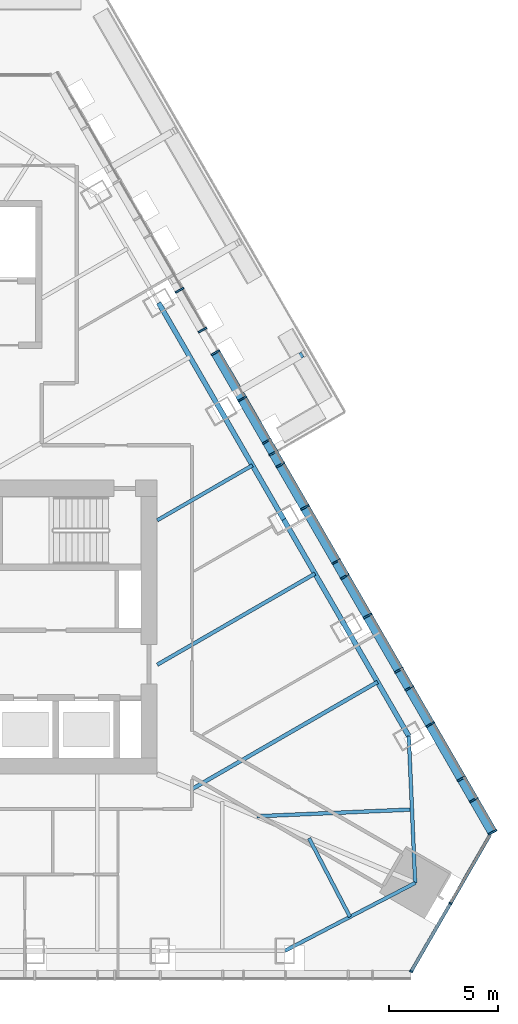
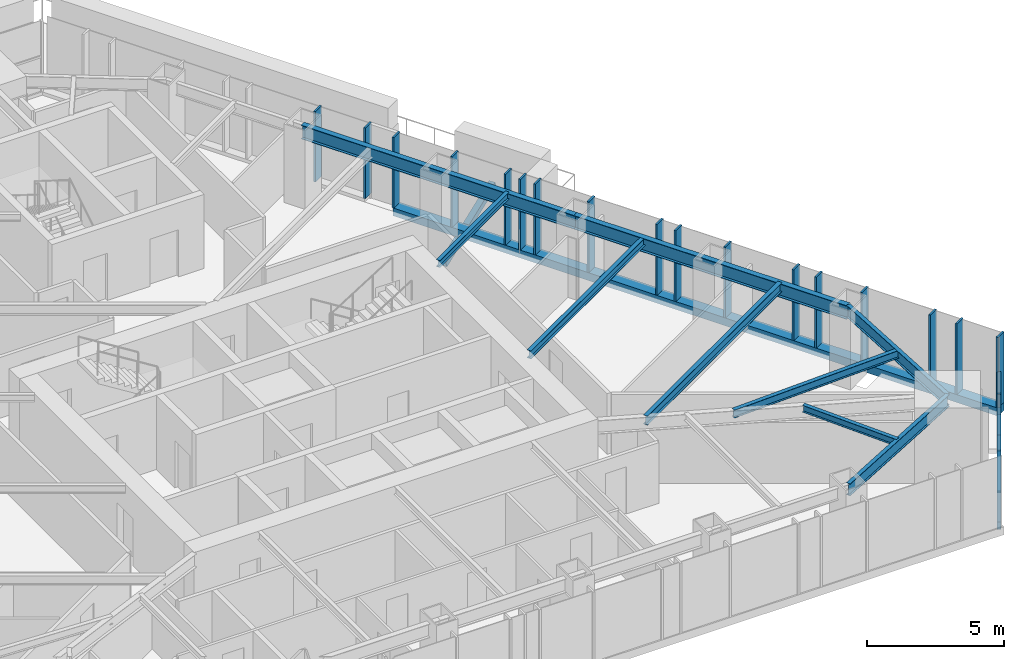
# One storey, part 4 of 16: 26 members, 9 beams, 2 elements without a shape of their own.
"""IFC4 building model written with IfcOpenShell, lengths in metres."""

from ifc_helpers import new_model, si_unit, direction, frame, origin, origin_2d, place, context, subcontext, project, spatial, rectangle, hollow_rectangle, i_section, extrude, material, layer, layer_set, material_profile, profile_set, type_object, element, aggregate, save


model = new_model("IFC4")

# Units and contexts
model_context = context("Model", 3, precision=1e-05, world=origin(), true_north=direction((0.0, 1.0)))
body_context = subcontext(model_context, "Body", "Model", "MODEL_VIEW")
ifc_project = project(units=[si_unit("LENGTHUNIT", "METRE"), si_unit("AREAUNIT", "SQUARE_METRE"), si_unit("VOLUMEUNIT", "CUBIC_METRE"), si_unit("PLANEANGLEUNIT", "RADIAN"), si_unit("MASSUNIT", "GRAM", prefix="KILO")], contexts=[model_context])

# Site, building, storey
site_placement = place(None, origin())
site = spatial("IfcSite", under=ifc_project, at=site_placement, CompositionType="ELEMENT")
building_placement = place(site_placement, origin())
building = spatial("IfcBuilding", under=site, at=building_placement, Name="Firuza Gate Tower and Library", CompositionType="ELEMENT")
storey_placement = place(building_placement, frame((0.0, 0.0, 319.60009765625)))
storey = spatial("IfcBuildingStorey", under=building, at=storey_placement, Name="L78", CompositionType="ELEMENT", Elevation=319.60009765625)

# Curtain wall, members
ifc_material_1 = material(Name="Aluminium 6063-T6", Category="aluminium")
ifc_layer_1 = layer(ifc_material_1, 0.14990234375)
ifc_layer_set_1 = layer_set([ifc_layer_1], Name="Corner curtain wall, chamfers")
curtain_wall_type_1 = type_object("IfcCurtainWallType", Name="Corner curtain wall, chamfers", PredefinedType="NOTDEFINED", material=ifc_layer_set_1)
placement = place(storey_placement, origin())
curtain_wall_1 = element("IfcCurtainWall", 1, at=placement, inside=storey, type_object=curtain_wall_type_1, Name="CW4 L78 SE corner", PredefinedType="NOTDEFINED")
ifc_material_2 = material(Name="Aluminium 6063-T6", Category="aluminium")
ifc_material_profile_1 = material_profile(ifc_material_2, rectangle(XDim=0.14990234375, YDim=0.080078125, at=origin_2d()))
ifc_profile_set_1 = profile_set([ifc_material_profile_1], Name="Aluminium 6063-T6")
member_type_1 = type_object("IfcMemberType", Name="Curtain wall mullion 80x150", PredefinedType="MULLION", material=ifc_profile_set_1)
member_1_placement = place(storey_placement, frame((95.167236328125, 59.195556640625, 0.14990234375), z_axis=(0.0, 0.0, 1.0), x_axis=(-0.866025403784, 0.5, 0.0)))
member_1 = element("IfcMember", 2, at=member_1_placement, type_object=member_type_1, Name="Mullion", PredefinedType="MULLION", context=body_context, shape_type="SweptSolid", body=[
    extrude(rectangle(XDim=0.14990234375, YDim=0.080078125, at=origin_2d()), origin(), (0.0, 0.0, 1.0), 3.14990234375),
])
member_2_placement = place(storey_placement, frame((96.968994140625, 62.316162109375, 0.14990234375), z_axis=(0.0, 0.0, 1.0), x_axis=(-0.866025403784, 0.5, 0.0)))
member_2 = element("IfcMember", 3, at=member_2_placement, type_object=member_type_1, Name="Mullion", PredefinedType="MULLION", context=body_context, shape_type="SweptSolid", body=[
    extrude(rectangle(XDim=0.14990234375, YDim=0.080078125, at=origin_2d()), origin(), (0.0, 0.0, 1.0), 3.14990234375),
])

ifc_material_3 = material(Name="Aluminium 6063-T6", Category="aluminium")
ifc_layer_2 = layer(ifc_material_3, 0.14990234375)
ifc_layer_set_2 = layer_set([ifc_layer_2], Name="Unitised curtain wall, residences")
curtain_wall_type_2 = type_object("IfcCurtainWallType", Name="Unitised curtain wall, residences", PredefinedType="NOTDEFINED", material=ifc_layer_set_2)
curtain_wall_2 = element("IfcCurtainWall", 4, at=placement, inside=storey, type_object=curtain_wall_type_2, Name="CW3 L78 E face", PredefinedType="NOTDEFINED")
ifc_material_4 = material(Name="Aluminium 6063-T6", Category="aluminium")
ifc_material_profile_2 = material_profile(ifc_material_4, rectangle(XDim=0.43994140625, YDim=0.080078125, at=origin_2d()))
ifc_profile_set_2 = profile_set([ifc_material_profile_2], Name="Aluminium 6063-T6")
member_type_2 = type_object("IfcMemberType", Name="Curtain wall mullion 80x440", PredefinedType="MULLION", material=ifc_profile_set_2)
member_3_placement = place(storey_placement, frame((98.896240234375, 65.57861328125, 0.14990234375), z_axis=(0.0, 0.0, 1.0), x_axis=(-0.866025403784, -0.5, 0.0)))
member_3 = element("IfcMember", 5, at=member_3_placement, type_object=member_type_2, Name="Mullion", PredefinedType="MULLION", context=body_context, shape_type="SweptSolid", body=[
    extrude(rectangle(XDim=0.43994140625, YDim=0.080078125, at=origin_2d()), origin(), (0.0, 0.0, 1.0), 3.14990234375),
])
member_4_placement = place(storey_placement, frame((97.47705078125, 68.036376953125, 0.14990234375), z_axis=(0.0, 0.0, 1.0), x_axis=(-0.866025403784, -0.5, 0.0)))
member_4 = element("IfcMember", 6, at=member_4_placement, type_object=member_type_2, Name="Mullion", PredefinedType="MULLION", context=body_context, shape_type="SweptSolid", body=[
    extrude(rectangle(XDim=0.43994140625, YDim=0.080078125, at=origin_2d()), origin(), (0.0, 0.0, 1.0), 3.14990234375),
])
member_5_placement = place(storey_placement, frame((96.0380859375, 70.529052734375, 0.14990234375), z_axis=(0.0, 0.0, 1.0), x_axis=(-0.866025403784, -0.5, 0.0)))
member_5 = element("IfcMember", 7, at=member_5_placement, type_object=member_type_2, Name="Mullion", PredefinedType="MULLION", context=body_context, shape_type="SweptSolid", body=[
    extrude(rectangle(XDim=0.43994140625, YDim=0.080078125, at=origin_2d()), origin(), (0.0, 0.0, 1.0), 3.14990234375),
])
member_6_placement = place(storey_placement, frame((94.598876953125, 73.021728515625, 0.14990234375), z_axis=(0.0, 0.0, 1.0), x_axis=(-0.866025403784, -0.5, 0.0)))
member_6 = element("IfcMember", 8, at=member_6_placement, type_object=member_type_2, Name="Mullion", PredefinedType="MULLION", context=body_context, shape_type="SweptSolid", body=[
    extrude(rectangle(XDim=0.43994140625, YDim=0.080078125, at=origin_2d()), origin(), (0.0, 0.0, 1.0), 3.14990234375),
])
member_7_placement = place(storey_placement, frame((93.159912109375, 75.51416015625, 0.14990234375), z_axis=(0.0, 0.0, 1.0), x_axis=(-0.866025403784, -0.5, 0.0)))
member_7 = element("IfcMember", 9, at=member_7_placement, type_object=member_type_2, Name="Mullion", PredefinedType="MULLION", context=body_context, shape_type="SweptSolid", body=[
    extrude(rectangle(XDim=0.43994140625, YDim=0.080078125, at=origin_2d()), origin(), (0.0, 0.0, 1.0), 3.14990234375),
])
member_8_placement = place(storey_placement, frame((91.720703125, 78.0068359375, 0.14990234375), z_axis=(0.0, 0.0, 1.0), x_axis=(-0.866025403784, -0.5, 0.0)))
member_8 = element("IfcMember", 10, at=member_8_placement, type_object=member_type_2, Name="Mullion", PredefinedType="MULLION", context=body_context, shape_type="SweptSolid", body=[
    extrude(rectangle(XDim=0.43994140625, YDim=0.080078125, at=origin_2d()), origin(), (0.0, 0.0, 1.0), 3.14990234375),
])
member_9_placement = place(storey_placement, frame((90.28173828125, 80.49951171875, 0.14990234375), z_axis=(0.0, 0.0, 1.0), x_axis=(-0.866025403784, -0.5, 0.0)))
member_9 = element("IfcMember", 11, at=member_9_placement, type_object=member_type_2, Name="Mullion", PredefinedType="MULLION", context=body_context, shape_type="SweptSolid", body=[
    extrude(rectangle(XDim=0.43994140625, YDim=0.080078125, at=origin_2d()), origin(), (0.0, 0.0, 1.0), 3.14990234375),
])
member_10_placement = place(storey_placement, frame((88.842529296875, 82.991943359375, 0.14990234375), z_axis=(0.0, 0.0, 1.0), x_axis=(-0.866025403784, -0.5, 0.0)))
member_10 = element("IfcMember", 12, at=member_10_placement, type_object=member_type_2, Name="Mullion", PredefinedType="MULLION", context=body_context, shape_type="SweptSolid", body=[
    extrude(rectangle(XDim=0.43994140625, YDim=0.080078125, at=origin_2d()), origin(), (0.0, 0.0, 1.0), 3.14990234375),
])
member_11_placement = place(storey_placement, frame((87.4033203125, 85.484619140625, 0.14990234375), z_axis=(0.0, 0.0, 1.0), x_axis=(-0.866025403784, -0.5, 0.0)))
member_11 = element("IfcMember", 13, at=member_11_placement, type_object=member_type_2, Name="Mullion", PredefinedType="MULLION", context=body_context, shape_type="SweptSolid", body=[
    extrude(rectangle(XDim=0.43994140625, YDim=0.080078125, at=origin_2d()), origin(), (0.0, 0.0, 1.0), 3.14990234375),
])
member_12_placement = place(storey_placement, frame((86.178466796875, 87.6064453125, 0.14990234375), z_axis=(0.0, 0.0, 1.0), x_axis=(-0.866025403784, -0.5, 0.0)))
member_12 = element("IfcMember", 14, at=member_12_placement, type_object=member_type_2, Name="Mullion", PredefinedType="MULLION", context=body_context, shape_type="SweptSolid", body=[
    extrude(rectangle(XDim=0.43994140625, YDim=0.080078125, at=origin_2d()), origin(), (0.0, 0.0, 1.0), 3.14990234375),
])
member_13_placement = place(storey_placement, frame((85.578369140625, 88.6455078125, 0.14990234375), z_axis=(0.0, 0.0, 1.0), x_axis=(-0.866025403784, -0.5, 0.0)))
member_13 = element("IfcMember", 15, at=member_13_placement, type_object=member_type_2, Name="Mullion", PredefinedType="MULLION", context=body_context, shape_type="SweptSolid", body=[
    extrude(rectangle(XDim=0.43994140625, YDim=0.080078125, at=origin_2d()), origin(), (0.0, 0.0, 1.0), 3.14990234375),
])
member_14_placement = place(storey_placement, frame((84.525146484375, 90.4697265625, 0.14990234375), z_axis=(0.0, 0.0, 1.0), x_axis=(-0.866025403784, -0.5, 0.0)))
member_14 = element("IfcMember", 16, at=member_14_placement, type_object=member_type_2, Name="Mullion", PredefinedType="MULLION", context=body_context, shape_type="SweptSolid", body=[
    extrude(rectangle(XDim=0.43994140625, YDim=0.080078125, at=origin_2d()), origin(), (0.0, 0.0, 1.0), 3.14990234375),
])
member_15_placement = place(storey_placement, frame((98.03466796875, 67.070556640625, 0.14990234375), z_axis=(0.0, 0.0, 1.0), x_axis=(-0.866025403784, -0.5, 0.0)))
member_15 = element("IfcMember", 17, at=member_15_placement, type_object=member_type_2, Name="Mullion", PredefinedType="MULLION", context=body_context, shape_type="SweptSolid", body=[
    extrude(rectangle(XDim=0.43994140625, YDim=0.080078125, at=origin_2d()), origin(), (0.0, 0.0, 1.0), 3.14990234375),
])
member_16_placement = place(storey_placement, frame((95.07470703125, 72.197509765625, 0.14990234375), z_axis=(0.0, 0.0, 1.0), x_axis=(-0.866025403784, -0.5, 0.0)))
member_16 = element("IfcMember", 18, at=member_16_placement, type_object=member_type_2, Name="Mullion", PredefinedType="MULLION", context=body_context, shape_type="SweptSolid", body=[
    extrude(rectangle(XDim=0.43994140625, YDim=0.080078125, at=origin_2d()), origin(), (0.0, 0.0, 1.0), 3.14990234375),
])
member_17_placement = place(storey_placement, frame((92.11474609375, 77.32421875, 0.14990234375), z_axis=(0.0, 0.0, 1.0), x_axis=(-0.866025403784, -0.5, 0.0)))
member_17 = element("IfcMember", 19, at=member_17_placement, type_object=member_type_2, Name="Mullion", PredefinedType="MULLION", context=body_context, shape_type="SweptSolid", body=[
    extrude(rectangle(XDim=0.43994140625, YDim=0.080078125, at=origin_2d()), origin(), (0.0, 0.0, 1.0), 3.14990234375),
])
member_18_placement = place(storey_placement, frame((89.15478515625, 82.451171875, 0.14990234375), z_axis=(0.0, 0.0, 1.0), x_axis=(-0.866025403784, -0.5, 0.0)))
member_18 = element("IfcMember", 20, at=member_18_placement, type_object=member_type_2, Name="Mullion", PredefinedType="MULLION", context=body_context, shape_type="SweptSolid", body=[
    extrude(rectangle(XDim=0.43994140625, YDim=0.080078125, at=origin_2d()), origin(), (0.0, 0.0, 1.0), 3.14990234375),
])
member_19_placement = place(storey_placement, frame((88.5302734375, 83.53271484375, 0.14990234375), z_axis=(0.0, 0.0, 1.0), x_axis=(-0.866025403784, -0.5, 0.0)))
member_19 = element("IfcMember", 21, at=member_19_placement, type_object=member_type_2, Name="Mullion", PredefinedType="MULLION", context=body_context, shape_type="SweptSolid", body=[
    extrude(rectangle(XDim=0.43994140625, YDim=0.080078125, at=origin_2d()), origin(), (0.0, 0.0, 1.0), 3.14990234375),
])

# Member
ifc_material_5 = material(Name="Aluminium 6063-T6", Category="aluminium")
ifc_material_profile_3 = material_profile(ifc_material_5, rectangle(XDim=0.14990234375, YDim=0.35009765625, at=origin_2d()))
ifc_profile_set_3 = profile_set([ifc_material_profile_3], Name="Aluminium 6063-T6")
member_type_3 = type_object("IfcMemberType", Name="Curtain wall transom 350x150", PredefinedType="USERDEFINED", material=ifc_profile_set_3)
member_20_placement = place(storey_placement, frame((95.147216796875, 59.1611328125, -0.025146484375), z_axis=(0.500005632288, 0.866022151957, 0.0), x_axis=(-0.866022151957, 0.500005632288, 0.0)))
member_20 = element("IfcMember", 22, at=member_20_placement, type_object=member_type_3, Name="Transom", ObjectType="TRANSOM", PredefinedType="USERDEFINED", context=body_context, shape_type="SweptSolid", body=[
    extrude(rectangle(XDim=0.14990234375, YDim=0.35009765625, at=origin_2d()), origin(), (0.0, 0.0, 1.0), 2.36328125),
])

member_21_placement = place(storey_placement, frame((97.60888671875, 63.4248046875, -0.025146484375), z_axis=(0.500005632288, 0.866022151957, 0.0), x_axis=(-0.866022151957, 0.500005632288, 0.0)))
member_21 = element("IfcMember", 23, at=member_21_placement, type_object=member_type_3, Name="Transom", ObjectType="TRANSOM", PredefinedType="USERDEFINED", context=body_context, shape_type="SweptSolid", body=[
    extrude(rectangle(XDim=0.14990234375, YDim=0.35009765625, at=origin_2d()), origin(), (0.0, 0.0, 1.0), 2.36328125),
])

ifc_material_6 = material(Name="Aluminium 6063-T6", Category="aluminium")
ifc_material_profile_4 = material_profile(ifc_material_6, rectangle(XDim=0.43994140625, YDim=0.35009765625, at=origin_2d()))
ifc_profile_set_4 = profile_set([ifc_material_profile_4], Name="Aluminium 6063-T6")
member_type_4 = type_object("IfcMemberType", Name="Curtain wall transom 350x440", PredefinedType="USERDEFINED", material=ifc_profile_set_4)
member_22_placement = place(storey_placement, frame((98.916259765625, 65.5439453125, -0.025146484375), z_axis=(-0.500000078156, 0.866025358661, 0.0), x_axis=(-0.866025358661, -0.500000078156, 0.0)))
member_22 = element("IfcMember", 24, at=member_22_placement, type_object=member_type_4, Name="Transom", ObjectType="TRANSOM", PredefinedType="USERDEFINED", context=body_context, shape_type="SweptSolid", body=[
    extrude(rectangle(XDim=0.43994140625, YDim=0.35009765625, at=origin_2d()), origin(), (0.0, 0.0, 1.0), 25.4755859375),
])

aggregate(curtain_wall_2, [member_3, member_4, member_5, member_6, member_7, member_8, member_9, member_10, member_11, member_12, member_13, member_14, member_22, member_15, member_16, member_17, member_18, member_19])

ifc_material_7 = material(Name="Aluminium 6063-T6", Category="aluminium")
ifc_material_profile_5 = material_profile(ifc_material_7, rectangle(XDim=0.14990234375, YDim=0.080078125, at=origin_2d()))
ifc_profile_set_5 = profile_set([ifc_material_profile_5], Name="Aluminium 6063-T6")
member_type_5 = type_object("IfcMemberType", Name="Curtain wall transom 80x150", PredefinedType="USERDEFINED", material=ifc_profile_set_5)
member_23_placement = place(storey_placement, frame((95.167236328125, 59.195556640625, 1.449951171875), z_axis=(0.500015035186, 0.866016723041, 0.0), x_axis=(-0.866016723041, 0.500015035186, 0.0)))
member_23 = element("IfcMember", 25, at=member_23_placement, type_object=member_type_5, Name="Transom", ObjectType="TRANSOM", PredefinedType="USERDEFINED", context=body_context, shape_type="SweptSolid", body=[
    extrude(rectangle(XDim=0.14990234375, YDim=0.080078125, at=origin_2d()), origin(), (0.0, 0.0, 1.0), 3.5634765625),
])

member_24_placement = place(storey_placement, frame((95.167236328125, 59.195556640625, 2.375), z_axis=(0.500015035186, 0.866016723041, 0.0), x_axis=(-0.866016723041, 0.500015035186, 0.0)))
member_24 = element("IfcMember", 26, at=member_24_placement, type_object=member_type_5, Name="Transom", ObjectType="TRANSOM", PredefinedType="USERDEFINED", context=body_context, shape_type="SweptSolid", body=[
    extrude(rectangle(XDim=0.14990234375, YDim=0.080078125, at=origin_2d()), origin(), (0.0, 0.0, 1.0), 3.5634765625),
])

member_25_placement = place(storey_placement, frame((96.989013671875, 62.350830078125, 1.724853515625), z_axis=(0.49996364809, 0.866046390552, 0.0), x_axis=(-0.866046390552, 0.49996364809, 0.0)))
member_25 = element("IfcMember", 27, at=member_25_placement, type_object=member_type_5, Name="Transom", ObjectType="TRANSOM", PredefinedType="USERDEFINED", context=body_context, shape_type="SweptSolid", body=[
    extrude(rectangle(XDim=0.14990234375, YDim=0.080078125, at=origin_2d()), origin(), (0.0, 0.0, 1.0), 3.563232421875),
])

aggregate(curtain_wall_1, [member_1, member_2, member_20, member_21, member_23, member_24, member_25])

ifc_material_8 = material(Name="Steel S355", Category="steel")
ifc_material_profile_6 = material_profile(ifc_material_8, hollow_rectangle(XDim=0.25390625, YDim=0.25390625, WallThickness=0.01171875, at=origin_2d()))
ifc_profile_set_6 = profile_set([ifc_material_profile_6], Name="Steel S355")
member_type_6 = type_object("IfcMemberType", Name="HSS254x254x13 Tray strut", PredefinedType="BRACE", material=ifc_profile_set_6)
member_26_placement = place(storey_placement, frame((87.1005859375, 85.75048828125, -1.670166015625), z_axis=(0.807122458648, 0.466007352202, 0.362478253747), x_axis=(-0.500012057535, 0.866018442252, 0.0)))
element("IfcMember", 28, at=member_26_placement, inside=storey, type_object=member_type_6, Name="Tray strut L78 col:L77:E4", PredefinedType="BRACE", context=body_context, shape_type="SweptSolid", body=[
    extrude(hollow_rectangle(XDim=0.25390625, YDim=0.25390625, WallThickness=0.01171875, at=origin_2d()), origin(), (0.0, 0.0, 1.0), 3.86279296875),
])

# Beams
ifc_material_9 = material(Name="Steel S355", Category="steel")
ifc_material_profile_7 = material_profile(ifc_material_9, i_section(OverallWidth=0.1650390625, OverallDepth=0.31005859375, WebThickness=0.005859375, FlangeThickness=0.009765625, at=origin_2d()))
ifc_profile_set_7 = profile_set([ifc_material_profile_7], Name="Steel S355")
beam_type_1 = type_object("IfcBeamType", Name="W310x39 Floor beam", PredefinedType="JOIST", material=ifc_profile_set_7)
beam_1_placement = place(storey_placement, frame((92.3525390625, 61.69482421875, 3.14501953125), z_axis=(-0.461980546122, 0.886890058014, 0.0), x_axis=(-0.886890058014, -0.461980546122, 0.0)))
element("IfcBeam", 29, at=beam_1_placement, inside=storey, type_object=beam_type_1, Name="Floor beam L78 s30", PredefinedType="JOIST", context=body_context, shape_type="SweptSolid", body=[
    extrude(i_section(OverallWidth=0.1650390625, OverallDepth=0.31005859375, WebThickness=0.005859375, FlangeThickness=0.009765625, at=origin_2d()), origin(), (0.0, 0.0, 1.0), 4.07666015625),
])
beam_2_placement = place(storey_placement, frame((87.87255859375, 82.431884765625, 3.14501953125), z_axis=(-0.866032592222, -0.499987549055, 0.0), x_axis=(0.499987549055, -0.866032592222, 0.0)))
element("IfcBeam", 30, at=beam_2_placement, inside=storey, type_object=beam_type_1, Name="Floor beam L78 s52", PredefinedType="JOIST", context=body_context, shape_type="SweptSolid", body=[
    extrude(i_section(OverallWidth=0.1650390625, OverallDepth=0.31005859375, WebThickness=0.005859375, FlangeThickness=0.009765625, at=origin_2d()), origin(), (0.0, 0.0, 1.0), 5.049072265625),
])
ifc_material_10 = material(Name="Steel S355", Category="steel")
ifc_material_profile_8 = material_profile(ifc_material_10, i_section(OverallWidth=0.1708984375, OverallDepth=0.35498046875, WebThickness=0.007080078125, FlangeThickness=0.01171875, at=origin_2d()))
ifc_profile_set_8 = profile_set([ifc_material_profile_8], Name="Steel S355")
beam_type_2 = type_object("IfcBeamType", Name="W360x51 Floor beam", PredefinedType="JOIST", material=ifc_profile_set_8)
beam_3_placement = place(storey_placement, frame((95.198974609375, 66.624755859375, 3.122314453125), z_axis=(-0.999060487653, -0.043337535825, 0.0), x_axis=(0.043337535825, -0.999060487653, 0.0)))
element("IfcBeam", 31, at=beam_3_placement, inside=storey, type_object=beam_type_2, Name="Floor beam L78 s40", PredefinedType="JOIST", context=body_context, shape_type="SweptSolid", body=[
    extrude(i_section(OverallWidth=0.1708984375, OverallDepth=0.35498046875, WebThickness=0.007080078125, FlangeThickness=0.01171875, at=origin_2d()), origin(), (0.0, 0.0, 1.0), 7.12060546875),
])
beam_4_placement = place(storey_placement, frame((90.74462890625, 77.45751953125, 3.122314453125), z_axis=(-0.866029092459, -0.499993610973, 0.0), x_axis=(0.499993610973, -0.866029092459, 0.0)))
element("IfcBeam", 32, at=beam_4_placement, inside=storey, type_object=beam_type_2, Name="Floor beam L78 s51", PredefinedType="JOIST", context=body_context, shape_type="SweptSolid", body=[
    extrude(i_section(OverallWidth=0.1708984375, OverallDepth=0.35498046875, WebThickness=0.007080078125, FlangeThickness=0.01171875, at=origin_2d()), origin(), (0.0, 0.0, 1.0), 8.365234375),
])
ifc_material_11 = material(Name="Steel S355", Category="steel")
ifc_material_profile_9 = material_profile(ifc_material_11, i_section(OverallWidth=0.177978515625, OverallDepth=0.406982421875, WebThickness=0.0078125, FlangeThickness=0.0126953125, at=origin_2d()))
ifc_profile_set_9 = profile_set([ifc_material_profile_9], Name="Steel S355")
beam_type_3 = type_object("IfcBeamType", Name="W410x60 Floor beam", PredefinedType="JOIST", material=ifc_profile_set_9)
beam_5_placement = place(storey_placement, frame((93.616455078125, 72.483154296875, 3.096435546875), z_axis=(-0.866018381575, -0.500012162627, 0.0), x_axis=(0.500012162627, -0.866018381575, 0.0)))
element("IfcBeam", 33, at=beam_5_placement, inside=storey, type_object=beam_type_3, Name="Floor beam L78 s50", PredefinedType="JOIST", context=body_context, shape_type="SweptSolid", body=[
    extrude(i_section(OverallWidth=0.177978515625, OverallDepth=0.406982421875, WebThickness=0.0078125, FlangeThickness=0.0126953125, at=origin_2d()), origin(), (0.0, 0.0, 1.0), 9.823486328125),
])
ifc_material_12 = material(Name="Steel S355", Category="steel")
ifc_material_profile_10 = material_profile(ifc_material_12, i_section(OverallWidth=0.166015625, OverallDepth=0.534912109375, WebThickness=0.01025390625, FlangeThickness=0.0166015625, at=origin_2d()))
ifc_profile_set_10 = profile_set([ifc_material_profile_10], Name="Steel S355")
beam_type_4 = type_object("IfcBeamType", Name="W530x85 Edge beam", PredefinedType="SPANDREL", material=ifc_profile_set_10)
for number, where, z_axis, x_axis, name in (
    (34, (89.360107421875, 60.135986328125, 3.032470703125), (0.886887835935, 0.461984811947, 0.0), (-0.461984811947, 0.886887835935, 0.0), "Edge beam L78 e30"),
    (35, (95.34521484375, 63.253662109375, 3.032470703125), (-0.043375996648, 0.999058818546, 0.0), (-0.999058818546, -0.043375996648, 0.0), "Edge beam L78 e40"),
):
    element("IfcBeam", number, at=place(storey_placement, frame(where, z_axis=z_axis, x_axis=x_axis)), inside=storey, type_object=beam_type_4, Name=name, PredefinedType="SPANDREL", context=body_context, shape_type="SweptSolid", body=[
        extrude(i_section(OverallWidth=0.166015625, OverallDepth=0.534912109375, WebThickness=0.01025390625, FlangeThickness=0.0166015625, at=origin_2d()), origin(), (0.0, 0.0, 1.0), 6.74853515625),
    ])
ifc_material_13 = material(Name="Steel S355", Category="steel")
ifc_material_profile_11 = material_profile(ifc_material_13, i_section(OverallWidth=0.22900390625, OverallDepth=0.612060546875, WebThickness=0.011962890625, FlangeThickness=0.01953125, at=origin_2d()))
ifc_profile_set_11 = profile_set([ifc_material_profile_11], Name="Steel S355")
beam_type_5 = type_object("IfcBeamType", Name="W610x125 Edge beam", PredefinedType="SPANDREL", material=ifc_profile_set_11)
beam_6_placement = place(storey_placement, frame((95.052490234375, 69.995849609375, 2.993896484375), z_axis=(-0.499990423607, 0.866030932647, 0.0), x_axis=(-0.866030932647, -0.499990423607, 0.0)))
element("IfcBeam", 36, at=beam_6_placement, inside=storey, type_object=beam_type_5, Name="Edge beam L78 e50", PredefinedType="SPANDREL", context=body_context, shape_type="SweptSolid", body=[
    extrude(i_section(OverallWidth=0.22900390625, OverallDepth=0.612060546875, WebThickness=0.011962890625, FlangeThickness=0.01953125, at=origin_2d()), origin(), (0.0, 0.0, 1.0), 11.488037109375),
])
beam_7_placement = place(storey_placement, frame((89.30859375, 79.94482421875, 2.993896484375), z_axis=(-0.499999625917, 0.866025619761, 0.0), x_axis=(-0.866025619761, -0.499999625917, 0.0)))
element("IfcBeam", 37, at=beam_7_placement, inside=storey, type_object=beam_type_5, Name="Edge beam L78 e52", PredefinedType="SPANDREL", context=body_context, shape_type="SweptSolid", body=[
    extrude(i_section(OverallWidth=0.22900390625, OverallDepth=0.612060546875, WebThickness=0.011962890625, FlangeThickness=0.01953125, at=origin_2d()), origin(), (0.0, 0.0, 1.0), 11.48779296875),
])

save(model, "model.ifc")
